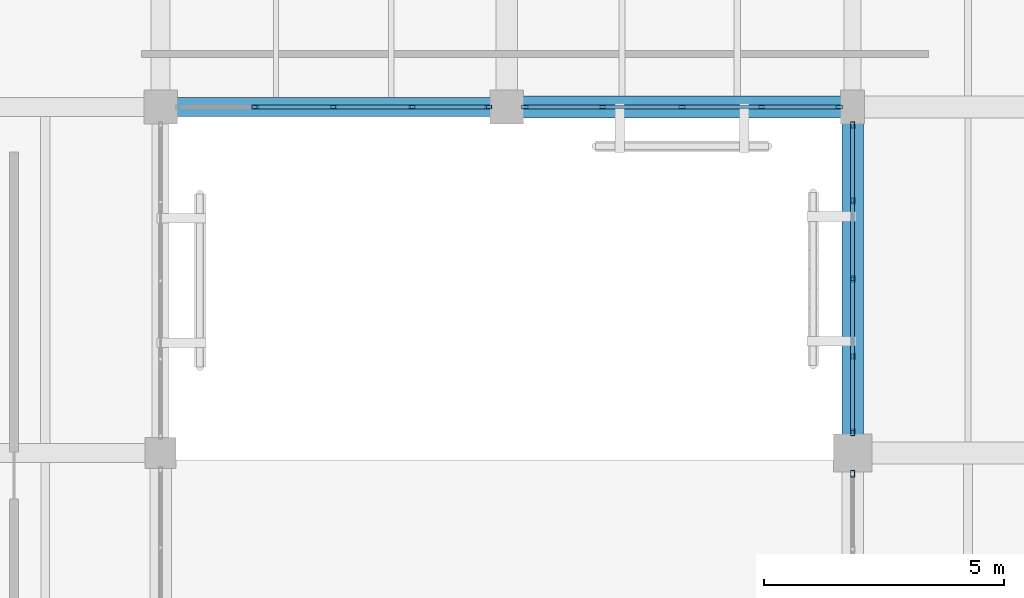
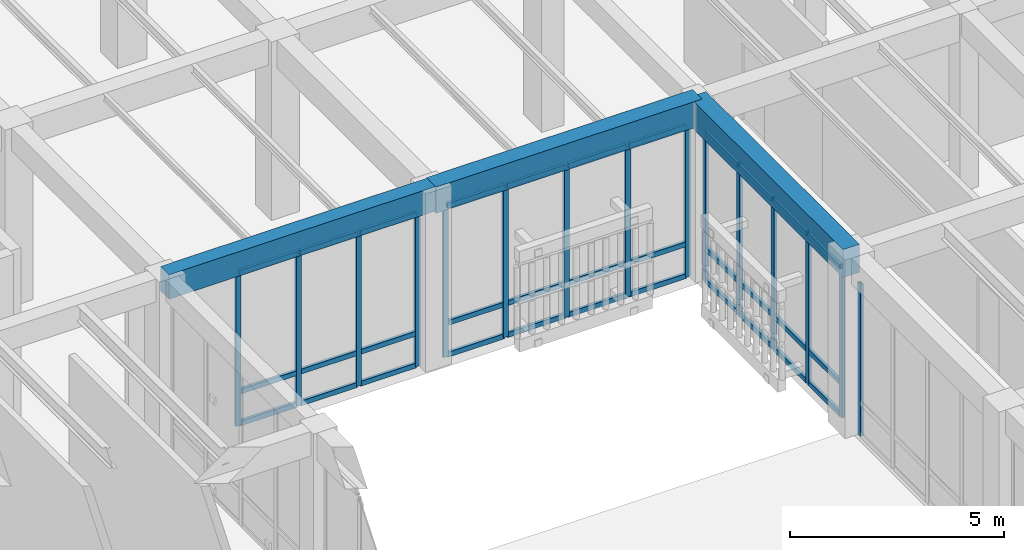
# One storey, part 58 of 169: 48 members, 3 beams, 4 elements without a shape of their own.
"""IFC4 building model written with IfcOpenShell, lengths in metres."""

from ifc_helpers import new_model, si_unit, direction, frame, origin, origin_2d, place, context, subcontext, project, spatial, rectangle, hollow_rectangle, extrude, material, layer, layer_set, material_profile, profile_set, type_object, element, aggregate, save


model = new_model("IFC4")

# Units and contexts
model_context = context("Model", 3, precision=1e-05, world=origin(), true_north=direction((0.0, 1.0)))
body_context = subcontext(model_context, "Body", "Model", "MODEL_VIEW")
ifc_project = project(units=[si_unit("LENGTHUNIT", "METRE"), si_unit("AREAUNIT", "SQUARE_METRE"), si_unit("VOLUMEUNIT", "CUBIC_METRE"), si_unit("PLANEANGLEUNIT", "RADIAN"), si_unit("MASSUNIT", "GRAM", prefix="KILO")], contexts=[model_context])

# Site, building, storey
site_placement = place(None, origin())
site = spatial("IfcSite", under=ifc_project, at=site_placement, CompositionType="ELEMENT")
building_placement = place(site_placement, origin())
building = spatial("IfcBuilding", under=site, at=building_placement, Name="Mazaris Harbour Polytechnic", CompositionType="ELEMENT")
storey_placement = place(building_placement, origin())
storey = spatial("IfcBuildingStorey", under=building, at=storey_placement, Name="L00", CompositionType="ELEMENT", Elevation=0.0)

# Curtain wall, members
ifc_material_1 = material(Name="Anodised Bronze Aluminium and Low-E Glass", Category="aluminium")
ifc_layer = layer(ifc_material_1, 0.159912109375, Name="Anodised Bronze Aluminium and Low-E Glass")
ifc_layer_set = layer_set([ifc_layer], Name="Anodised Bronze Aluminium and Low-E Glass")
curtain_wall_type = type_object("IfcCurtainWallType", Name="Cloister Court Curtain Wall", PredefinedType="NOTDEFINED", material=ifc_layer_set)
curtain_wall_1_placement = place(storey_placement, origin())
curtain_wall_1 = element("IfcCurtainWall", 1, at=curtain_wall_1_placement, inside=storey, type_object=curtain_wall_type, Name="V4 L00 Curtain Wall 101", PredefinedType="NOTDEFINED")
ifc_material_2 = material(Name="Anodised Bronze Steel S355", Category="steel")
ifc_material_profile_1 = material_profile(ifc_material_2, hollow_rectangle(XDim=0.080078125, YDim=0.139892578125, WallThickness=0.00634765625, at=origin_2d()), Name="RHS 80x140x6.3")
ifc_profile_set_1 = profile_set([ifc_material_profile_1], Name="Anodised Bronze Steel S355")
member_type_1 = type_object("IfcMemberType", Name="Curtain Mullion RHS80x140", PredefinedType="MULLION", material=ifc_profile_set_1)
member_1_placement = place(storey_placement, frame((21.218017578125, 68.39990234375, 0.0), z_axis=(0.0, 0.0, 1.0), x_axis=(0.0, -1.0, 0.0)))
member_1 = element("IfcMember", 2, at=member_1_placement, type_object=member_type_1, Name="CW-02 mullion 1", PredefinedType="MULLION", context=body_context, shape_type="SweptSolid", body=[
    extrude(hollow_rectangle(XDim=0.080078125, YDim=0.139892578125, WallThickness=0.00634765625, at=origin_2d()), origin(), (0.0, 0.0, 1.0), 4.389892578125),
])
member_2_placement = place(storey_placement, frame((19.62890625, 68.39990234375, 0.0), z_axis=(0.0, 0.0, 1.0), x_axis=(0.0, -1.0, 0.0)))
member_2 = element("IfcMember", 3, at=member_2_placement, type_object=member_type_1, Name="CW-02 mullion 2", PredefinedType="MULLION", context=body_context, shape_type="SweptSolid", body=[
    extrude(hollow_rectangle(XDim=0.080078125, YDim=0.139892578125, WallThickness=0.00634765625, at=origin_2d()), origin(), (0.0, 0.0, 1.0), 4.389892578125),
])
member_3_placement = place(storey_placement, frame((18.0, 68.39990234375, 0.0), z_axis=(0.0, 0.0, 1.0), x_axis=(0.0, -1.0, 0.0)))
member_3 = element("IfcMember", 4, at=member_3_placement, type_object=member_type_1, Name="CW-02 mullion 3", PredefinedType="MULLION", context=body_context, shape_type="SweptSolid", body=[
    extrude(hollow_rectangle(XDim=0.080078125, YDim=0.139892578125, WallThickness=0.00634765625, at=origin_2d()), origin(), (0.0, 0.0, 1.0), 4.389892578125),
])
member_4_placement = place(storey_placement, frame((16.37109375, 68.39990234375, 0.0), z_axis=(0.0, 0.0, 1.0), x_axis=(0.0, -1.0, 0.0)))
member_4 = element("IfcMember", 5, at=member_4_placement, type_object=member_type_1, Name="CW-02 mullion 4", PredefinedType="MULLION", context=body_context, shape_type="SweptSolid", body=[
    extrude(hollow_rectangle(XDim=0.080078125, YDim=0.139892578125, WallThickness=0.00634765625, at=origin_2d()), origin(), (0.0, 0.0, 1.0), 4.389892578125),
])

curtain_wall_2_placement = place(storey_placement, origin())
curtain_wall_2 = element("IfcCurtainWall", 6, at=curtain_wall_2_placement, inside=storey, type_object=curtain_wall_type, Name="V4 L00 Curtain Wall 102", PredefinedType="NOTDEFINED")
member_5_placement = place(storey_placement, frame((28.51806640625, 68.39990234375, 0.0), z_axis=(0.0, 0.0, 1.0), x_axis=(0.0, -1.0, 0.0)))
member_5 = element("IfcMember", 7, at=member_5_placement, type_object=member_type_1, Name="CW-02 mullion 1", PredefinedType="MULLION", context=body_context, shape_type="SweptSolid", body=[
    extrude(hollow_rectangle(XDim=0.080078125, YDim=0.139892578125, WallThickness=0.00634765625, at=origin_2d()), origin(), (0.0, 0.0, 1.0), 4.340087890625),
])
member_6_placement = place(storey_placement, frame((26.904052734375, 68.39990234375, 0.0), z_axis=(0.0, 0.0, 1.0), x_axis=(0.0, -1.0, 0.0)))
member_6 = element("IfcMember", 8, at=member_6_placement, type_object=member_type_1, Name="CW-02 mullion 2", PredefinedType="MULLION", context=body_context, shape_type="SweptSolid", body=[
    extrude(hollow_rectangle(XDim=0.080078125, YDim=0.139892578125, WallThickness=0.00634765625, at=origin_2d()), origin(), (0.0, 0.0, 1.0), 4.340087890625),
])
member_7_placement = place(storey_placement, frame((25.25, 68.39990234375, 0.0), z_axis=(0.0, 0.0, 1.0), x_axis=(0.0, -1.0, 0.0)))
member_7 = element("IfcMember", 9, at=member_7_placement, type_object=member_type_1, Name="CW-02 mullion 3", PredefinedType="MULLION", context=body_context, shape_type="SweptSolid", body=[
    extrude(hollow_rectangle(XDim=0.080078125, YDim=0.139892578125, WallThickness=0.00634765625, at=origin_2d()), origin(), (0.0, 0.0, 1.0), 4.340087890625),
])
member_8_placement = place(storey_placement, frame((23.595947265625, 68.39990234375, 0.0), z_axis=(0.0, 0.0, 1.0), x_axis=(0.0, -1.0, 0.0)))
member_8 = element("IfcMember", 10, at=member_8_placement, type_object=member_type_1, Name="CW-02 mullion 4", PredefinedType="MULLION", context=body_context, shape_type="SweptSolid", body=[
    extrude(hollow_rectangle(XDim=0.080078125, YDim=0.139892578125, WallThickness=0.00634765625, at=origin_2d()), origin(), (0.0, 0.0, 1.0), 4.340087890625),
])
member_9_placement = place(storey_placement, frame((21.98193359375, 68.39990234375, 0.0), z_axis=(0.0, 0.0, 1.0), x_axis=(0.0, -1.0, 0.0)))
member_9 = element("IfcMember", 11, at=member_9_placement, type_object=member_type_1, Name="CW-02 mullion 5", PredefinedType="MULLION", context=body_context, shape_type="SweptSolid", body=[
    extrude(hollow_rectangle(XDim=0.080078125, YDim=0.139892578125, WallThickness=0.00634765625, at=origin_2d()), origin(), (0.0, 0.0, 1.0), 4.340087890625),
])

# Curtain wall, member
curtain_wall_3_placement = place(storey_placement, origin())
curtain_wall_3 = element("IfcCurtainWall", 12, at=curtain_wall_3_placement, inside=storey, type_object=curtain_wall_type, Name="V4 L00 Curtain Wall 109", PredefinedType="NOTDEFINED")
member_10_placement = place(storey_placement, frame((28.800048828125, 60.76806640625, 0.0), z_axis=(0.0, 0.0, 1.0), x_axis=(1.0, 0.0, 0.0)))
member_10 = element("IfcMember", 13, at=member_10_placement, type_object=member_type_1, Name="CW-02 mullion 1", PredefinedType="MULLION", context=body_context, shape_type="SweptSolid", body=[
    extrude(hollow_rectangle(XDim=0.080078125, YDim=0.139892578125, WallThickness=0.00634765625, at=origin_2d()), origin(), (0.0, 0.0, 1.0), 4.340087890625),
])
aggregate(curtain_wall_3, [member_10])

# Curtain wall, members
curtain_wall_4_placement = place(storey_placement, origin())
curtain_wall_4 = element("IfcCurtainWall", 14, at=curtain_wall_4_placement, inside=storey, type_object=curtain_wall_type, Name="V4 L00 Curtain Wall 110", PredefinedType="NOTDEFINED")
member_11_placement = place(storey_placement, frame((28.800048828125, 68.01806640625, 0.0), z_axis=(0.0, 0.0, 1.0), x_axis=(1.0, 0.0, 0.0)))
member_11 = element("IfcMember", 15, at=member_11_placement, type_object=member_type_1, Name="CW-02 mullion 1", PredefinedType="MULLION", context=body_context, shape_type="SweptSolid", body=[
    extrude(hollow_rectangle(XDim=0.080078125, YDim=0.139892578125, WallThickness=0.00634765625, at=origin_2d()), origin(), (0.0, 0.0, 1.0), 4.2900390625),
])
member_12_placement = place(storey_placement, frame((28.800048828125, 66.44140625, 0.0), z_axis=(0.0, 0.0, 1.0), x_axis=(1.0, 0.0, 0.0)))
member_12 = element("IfcMember", 16, at=member_12_placement, type_object=member_type_1, Name="CW-02 mullion 2", PredefinedType="MULLION", context=body_context, shape_type="SweptSolid", body=[
    extrude(hollow_rectangle(XDim=0.080078125, YDim=0.139892578125, WallThickness=0.00634765625, at=origin_2d()), origin(), (0.0, 0.0, 1.0), 4.2900390625),
])
member_13_placement = place(storey_placement, frame((28.800048828125, 64.824951171875, 0.0), z_axis=(0.0, 0.0, 1.0), x_axis=(1.0, 0.0, 0.0)))
member_13 = element("IfcMember", 17, at=member_13_placement, type_object=member_type_1, Name="CW-02 mullion 3", PredefinedType="MULLION", context=body_context, shape_type="SweptSolid", body=[
    extrude(hollow_rectangle(XDim=0.080078125, YDim=0.139892578125, WallThickness=0.00634765625, at=origin_2d()), origin(), (0.0, 0.0, 1.0), 4.2900390625),
])
member_14_placement = place(storey_placement, frame((28.800048828125, 63.20849609375, 0.0), z_axis=(0.0, 0.0, 1.0), x_axis=(1.0, 0.0, 0.0)))
member_14 = element("IfcMember", 18, at=member_14_placement, type_object=member_type_1, Name="CW-02 mullion 4", PredefinedType="MULLION", context=body_context, shape_type="SweptSolid", body=[
    extrude(hollow_rectangle(XDim=0.080078125, YDim=0.139892578125, WallThickness=0.00634765625, at=origin_2d()), origin(), (0.0, 0.0, 1.0), 4.2900390625),
])
member_15_placement = place(storey_placement, frame((28.800048828125, 61.632080078125, 0.0), z_axis=(0.0, 0.0, 1.0), x_axis=(1.0, 0.0, 0.0)))
member_15 = element("IfcMember", 19, at=member_15_placement, type_object=member_type_1, Name="CW-02 mullion 5", PredefinedType="MULLION", context=body_context, shape_type="SweptSolid", body=[
    extrude(hollow_rectangle(XDim=0.080078125, YDim=0.139892578125, WallThickness=0.00634765625, at=origin_2d()), origin(), (0.0, 0.0, 1.0), 4.2900390625),
])

# Member
ifc_material_3 = material(Name="Anodised Bronze Steel S355", Category="steel")
ifc_material_profile_2 = material_profile(ifc_material_3, hollow_rectangle(XDim=0.080078125, YDim=0.139892578125, WallThickness=0.00634765625, at=origin_2d()), Name="RHS 80x140x6.3")
ifc_profile_set_2 = profile_set([ifc_material_profile_2], Name="Anodised Bronze Steel S355")
member_type_2 = type_object("IfcMemberType", Name="Curtain Transom RHS80x140", PredefinedType="USERDEFINED", material=ifc_profile_set_2)
member_16_placement = place(storey_placement, frame((21.177978515625, 68.39990234375, 0.0400390625), z_axis=(-1.0, 0.0, 0.0), x_axis=(0.0, -1.0, 0.0)))
member_16 = element("IfcMember", 20, at=member_16_placement, type_object=member_type_2, Name="CW-02 transom 1.1", ObjectType="TRANSOM", PredefinedType="USERDEFINED", context=body_context, shape_type="SweptSolid", body=[
    extrude(hollow_rectangle(XDim=0.080078125, YDim=0.139892578125, WallThickness=0.00634765625, at=origin_2d()), origin(), (0.0, 0.0, 1.0), 1.509033203125),
])

member_17_placement = place(storey_placement, frame((21.177978515625, 68.39990234375, 0.949951171875), z_axis=(-1.0, 0.0, 0.0), x_axis=(0.0, -1.0, 0.0)))
member_17 = element("IfcMember", 21, at=member_17_placement, type_object=member_type_2, Name="CW-02 transom 1.2", ObjectType="TRANSOM", PredefinedType="USERDEFINED", context=body_context, shape_type="SweptSolid", body=[
    extrude(hollow_rectangle(XDim=0.080078125, YDim=0.139892578125, WallThickness=0.00634765625, at=origin_2d()), origin(), (0.0, 0.0, 1.0), 1.509033203125),
])

member_18_placement = place(storey_placement, frame((21.177978515625, 68.39990234375, 4.35009765625), z_axis=(-1.0, 0.0, 0.0), x_axis=(0.0, -1.0, 0.0)))
member_18 = element("IfcMember", 22, at=member_18_placement, type_object=member_type_2, Name="CW-02 transom 1.3", ObjectType="TRANSOM", PredefinedType="USERDEFINED", context=body_context, shape_type="SweptSolid", body=[
    extrude(hollow_rectangle(XDim=0.080078125, YDim=0.139892578125, WallThickness=0.00634765625, at=origin_2d()), origin(), (0.0, 0.0, 1.0), 1.509033203125),
])

member_19_placement = place(storey_placement, frame((19.589111328125, 68.39990234375, 0.0400390625), z_axis=(-1.0, 0.0, 0.0), x_axis=(0.0, -1.0, 0.0)))
member_19 = element("IfcMember", 23, at=member_19_placement, type_object=member_type_2, Name="CW-02 transom 2.1", ObjectType="TRANSOM", PredefinedType="USERDEFINED", context=body_context, shape_type="SweptSolid", body=[
    extrude(hollow_rectangle(XDim=0.080078125, YDim=0.139892578125, WallThickness=0.00634765625, at=origin_2d()), origin(), (0.0, 0.0, 1.0), 1.549072265625),
])

member_20_placement = place(storey_placement, frame((19.589111328125, 68.39990234375, 0.949951171875), z_axis=(-1.0, 0.0, 0.0), x_axis=(0.0, -1.0, 0.0)))
member_20 = element("IfcMember", 24, at=member_20_placement, type_object=member_type_2, Name="CW-02 transom 2.2", ObjectType="TRANSOM", PredefinedType="USERDEFINED", context=body_context, shape_type="SweptSolid", body=[
    extrude(hollow_rectangle(XDim=0.080078125, YDim=0.139892578125, WallThickness=0.00634765625, at=origin_2d()), origin(), (0.0, 0.0, 1.0), 1.549072265625),
])

member_21_placement = place(storey_placement, frame((19.589111328125, 68.39990234375, 4.35009765625), z_axis=(-1.0, 0.0, 0.0), x_axis=(0.0, -1.0, 0.0)))
member_21 = element("IfcMember", 25, at=member_21_placement, type_object=member_type_2, Name="CW-02 transom 2.3", ObjectType="TRANSOM", PredefinedType="USERDEFINED", context=body_context, shape_type="SweptSolid", body=[
    extrude(hollow_rectangle(XDim=0.080078125, YDim=0.139892578125, WallThickness=0.00634765625, at=origin_2d()), origin(), (0.0, 0.0, 1.0), 1.549072265625),
])

member_22_placement = place(storey_placement, frame((17.9599609375, 68.39990234375, 0.0400390625), z_axis=(-1.0, 0.0, 0.0), x_axis=(0.0, -1.0, 0.0)))
member_22 = element("IfcMember", 26, at=member_22_placement, type_object=member_type_2, Name="CW-02 transom 3.1", ObjectType="TRANSOM", PredefinedType="USERDEFINED", context=body_context, shape_type="SweptSolid", body=[
    extrude(hollow_rectangle(XDim=0.080078125, YDim=0.139892578125, WallThickness=0.00634765625, at=origin_2d()), origin(), (0.0, 0.0, 1.0), 1.549072265625),
])

member_23_placement = place(storey_placement, frame((17.9599609375, 68.39990234375, 0.949951171875), z_axis=(-1.0, 0.0, 0.0), x_axis=(0.0, -1.0, 0.0)))
member_23 = element("IfcMember", 27, at=member_23_placement, type_object=member_type_2, Name="CW-02 transom 3.2", ObjectType="TRANSOM", PredefinedType="USERDEFINED", context=body_context, shape_type="SweptSolid", body=[
    extrude(hollow_rectangle(XDim=0.080078125, YDim=0.139892578125, WallThickness=0.00634765625, at=origin_2d()), origin(), (0.0, 0.0, 1.0), 1.549072265625),
])

member_24_placement = place(storey_placement, frame((17.9599609375, 68.39990234375, 4.35009765625), z_axis=(-1.0, 0.0, 0.0), x_axis=(0.0, -1.0, 0.0)))
member_24 = element("IfcMember", 28, at=member_24_placement, type_object=member_type_2, Name="CW-02 transom 3.3", ObjectType="TRANSOM", PredefinedType="USERDEFINED", context=body_context, shape_type="SweptSolid", body=[
    extrude(hollow_rectangle(XDim=0.080078125, YDim=0.139892578125, WallThickness=0.00634765625, at=origin_2d()), origin(), (0.0, 0.0, 1.0), 1.549072265625),
])

aggregate(curtain_wall_1, [member_1, member_2, member_3, member_4, member_16, member_17, member_18, member_19, member_20, member_21, member_22, member_23, member_24])

member_25_placement = place(storey_placement, frame((28.47802734375, 68.39990234375, 0.0400390625), z_axis=(-1.0, 0.0, 0.0), x_axis=(0.0, -1.0, 0.0)))
member_25 = element("IfcMember", 29, at=member_25_placement, type_object=member_type_2, Name="CW-02 transom 1.1", ObjectType="TRANSOM", PredefinedType="USERDEFINED", context=body_context, shape_type="SweptSolid", body=[
    extrude(hollow_rectangle(XDim=0.080078125, YDim=0.139892578125, WallThickness=0.00634765625, at=origin_2d()), origin(), (0.0, 0.0, 1.0), 1.533935546875),
])

member_26_placement = place(storey_placement, frame((28.47802734375, 68.39990234375, 0.949951171875), z_axis=(-1.0, 0.0, 0.0), x_axis=(0.0, -1.0, 0.0)))
member_26 = element("IfcMember", 30, at=member_26_placement, type_object=member_type_2, Name="CW-02 transom 1.2", ObjectType="TRANSOM", PredefinedType="USERDEFINED", context=body_context, shape_type="SweptSolid", body=[
    extrude(hollow_rectangle(XDim=0.080078125, YDim=0.139892578125, WallThickness=0.00634765625, at=origin_2d()), origin(), (0.0, 0.0, 1.0), 1.533935546875),
])

member_27_placement = place(storey_placement, frame((28.47802734375, 68.39990234375, 4.300048828125), z_axis=(-1.0, 0.0, 0.0), x_axis=(0.0, -1.0, 0.0)))
member_27 = element("IfcMember", 31, at=member_27_placement, type_object=member_type_2, Name="CW-02 transom 1.3", ObjectType="TRANSOM", PredefinedType="USERDEFINED", context=body_context, shape_type="SweptSolid", body=[
    extrude(hollow_rectangle(XDim=0.080078125, YDim=0.139892578125, WallThickness=0.00634765625, at=origin_2d()), origin(), (0.0, 0.0, 1.0), 1.533935546875),
])

member_28_placement = place(storey_placement, frame((26.864013671875, 68.39990234375, 0.0400390625), z_axis=(-1.0, 0.0, 0.0), x_axis=(0.0, -1.0, 0.0)))
member_28 = element("IfcMember", 32, at=member_28_placement, type_object=member_type_2, Name="CW-02 transom 2.1", ObjectType="TRANSOM", PredefinedType="USERDEFINED", context=body_context, shape_type="SweptSolid", body=[
    extrude(hollow_rectangle(XDim=0.080078125, YDim=0.139892578125, WallThickness=0.00634765625, at=origin_2d()), origin(), (0.0, 0.0, 1.0), 1.573974609375),
])

member_29_placement = place(storey_placement, frame((26.864013671875, 68.39990234375, 0.949951171875), z_axis=(-1.0, 0.0, 0.0), x_axis=(0.0, -1.0, 0.0)))
member_29 = element("IfcMember", 33, at=member_29_placement, type_object=member_type_2, Name="CW-02 transom 2.2", ObjectType="TRANSOM", PredefinedType="USERDEFINED", context=body_context, shape_type="SweptSolid", body=[
    extrude(hollow_rectangle(XDim=0.080078125, YDim=0.139892578125, WallThickness=0.00634765625, at=origin_2d()), origin(), (0.0, 0.0, 1.0), 1.573974609375),
])

member_30_placement = place(storey_placement, frame((26.864013671875, 68.39990234375, 4.300048828125), z_axis=(-1.0, 0.0, 0.0), x_axis=(0.0, -1.0, 0.0)))
member_30 = element("IfcMember", 34, at=member_30_placement, type_object=member_type_2, Name="CW-02 transom 2.3", ObjectType="TRANSOM", PredefinedType="USERDEFINED", context=body_context, shape_type="SweptSolid", body=[
    extrude(hollow_rectangle(XDim=0.080078125, YDim=0.139892578125, WallThickness=0.00634765625, at=origin_2d()), origin(), (0.0, 0.0, 1.0), 1.573974609375),
])

member_31_placement = place(storey_placement, frame((25.2099609375, 68.39990234375, 0.0400390625), z_axis=(-1.0, 0.0, 0.0), x_axis=(0.0, -1.0, 0.0)))
member_31 = element("IfcMember", 35, at=member_31_placement, type_object=member_type_2, Name="CW-02 transom 3.1", ObjectType="TRANSOM", PredefinedType="USERDEFINED", context=body_context, shape_type="SweptSolid", body=[
    extrude(hollow_rectangle(XDim=0.080078125, YDim=0.139892578125, WallThickness=0.00634765625, at=origin_2d()), origin(), (0.0, 0.0, 1.0), 1.573974609375),
])

member_32_placement = place(storey_placement, frame((25.2099609375, 68.39990234375, 0.949951171875), z_axis=(-1.0, 0.0, 0.0), x_axis=(0.0, -1.0, 0.0)))
member_32 = element("IfcMember", 36, at=member_32_placement, type_object=member_type_2, Name="CW-02 transom 3.2", ObjectType="TRANSOM", PredefinedType="USERDEFINED", context=body_context, shape_type="SweptSolid", body=[
    extrude(hollow_rectangle(XDim=0.080078125, YDim=0.139892578125, WallThickness=0.00634765625, at=origin_2d()), origin(), (0.0, 0.0, 1.0), 1.573974609375),
])

member_33_placement = place(storey_placement, frame((25.2099609375, 68.39990234375, 4.300048828125), z_axis=(-1.0, 0.0, 0.0), x_axis=(0.0, -1.0, 0.0)))
member_33 = element("IfcMember", 37, at=member_33_placement, type_object=member_type_2, Name="CW-02 transom 3.3", ObjectType="TRANSOM", PredefinedType="USERDEFINED", context=body_context, shape_type="SweptSolid", body=[
    extrude(hollow_rectangle(XDim=0.080078125, YDim=0.139892578125, WallThickness=0.00634765625, at=origin_2d()), origin(), (0.0, 0.0, 1.0), 1.573974609375),
])

member_34_placement = place(storey_placement, frame((23.555908203125, 68.39990234375, 0.0400390625), z_axis=(-1.0, 0.0, 0.0), x_axis=(0.0, -1.0, 0.0)))
member_34 = element("IfcMember", 38, at=member_34_placement, type_object=member_type_2, Name="CW-02 transom 4.1", ObjectType="TRANSOM", PredefinedType="USERDEFINED", context=body_context, shape_type="SweptSolid", body=[
    extrude(hollow_rectangle(XDim=0.080078125, YDim=0.139892578125, WallThickness=0.00634765625, at=origin_2d()), origin(), (0.0, 0.0, 1.0), 1.533935546875),
])

member_35_placement = place(storey_placement, frame((23.555908203125, 68.39990234375, 0.949951171875), z_axis=(-1.0, 0.0, 0.0), x_axis=(0.0, -1.0, 0.0)))
member_35 = element("IfcMember", 39, at=member_35_placement, type_object=member_type_2, Name="CW-02 transom 4.2", ObjectType="TRANSOM", PredefinedType="USERDEFINED", context=body_context, shape_type="SweptSolid", body=[
    extrude(hollow_rectangle(XDim=0.080078125, YDim=0.139892578125, WallThickness=0.00634765625, at=origin_2d()), origin(), (0.0, 0.0, 1.0), 1.533935546875),
])

member_36_placement = place(storey_placement, frame((23.555908203125, 68.39990234375, 4.300048828125), z_axis=(-1.0, 0.0, 0.0), x_axis=(0.0, -1.0, 0.0)))
member_36 = element("IfcMember", 40, at=member_36_placement, type_object=member_type_2, Name="CW-02 transom 4.3", ObjectType="TRANSOM", PredefinedType="USERDEFINED", context=body_context, shape_type="SweptSolid", body=[
    extrude(hollow_rectangle(XDim=0.080078125, YDim=0.139892578125, WallThickness=0.00634765625, at=origin_2d()), origin(), (0.0, 0.0, 1.0), 1.533935546875),
])

aggregate(curtain_wall_2, [member_5, member_6, member_7, member_8, member_9, member_25, member_26, member_27, member_28, member_29, member_30, member_31, member_32, member_33, member_34, member_35, member_36])

member_37_placement = place(storey_placement, frame((28.800048828125, 67.97802734375, 0.0400390625), z_axis=(0.0, -1.0, 0.0), x_axis=(1.0, 0.0, 0.0)))
member_37 = element("IfcMember", 41, at=member_37_placement, type_object=member_type_2, Name="CW-02 transom 1.1", ObjectType="TRANSOM", PredefinedType="USERDEFINED", context=body_context, shape_type="SweptSolid", body=[
    extrude(hollow_rectangle(XDim=0.080078125, YDim=0.139892578125, WallThickness=0.00634765625, at=origin_2d()), origin(), (0.0, 0.0, 1.0), 1.49658203125),
])

member_38_placement = place(storey_placement, frame((28.800048828125, 67.97802734375, 0.949951171875), z_axis=(0.0, -1.0, 0.0), x_axis=(1.0, 0.0, 0.0)))
member_38 = element("IfcMember", 42, at=member_38_placement, type_object=member_type_2, Name="CW-02 transom 1.2", ObjectType="TRANSOM", PredefinedType="USERDEFINED", context=body_context, shape_type="SweptSolid", body=[
    extrude(hollow_rectangle(XDim=0.080078125, YDim=0.139892578125, WallThickness=0.00634765625, at=origin_2d()), origin(), (0.0, 0.0, 1.0), 1.49658203125),
])

member_39_placement = place(storey_placement, frame((28.800048828125, 67.97802734375, 4.25), z_axis=(0.0, -1.0, 0.0), x_axis=(1.0, 0.0, 0.0)))
member_39 = element("IfcMember", 43, at=member_39_placement, type_object=member_type_2, Name="CW-02 transom 1.3", ObjectType="TRANSOM", PredefinedType="USERDEFINED", context=body_context, shape_type="SweptSolid", body=[
    extrude(hollow_rectangle(XDim=0.080078125, YDim=0.139892578125, WallThickness=0.00634765625, at=origin_2d()), origin(), (0.0, 0.0, 1.0), 1.49658203125),
])

member_40_placement = place(storey_placement, frame((28.800048828125, 66.401611328125, 0.0400390625), z_axis=(0.0, -1.0, 0.0), x_axis=(1.0, 0.0, 0.0)))
member_40 = element("IfcMember", 44, at=member_40_placement, type_object=member_type_2, Name="CW-02 transom 2.1", ObjectType="TRANSOM", PredefinedType="USERDEFINED", context=body_context, shape_type="SweptSolid", body=[
    extrude(hollow_rectangle(XDim=0.080078125, YDim=0.139892578125, WallThickness=0.00634765625, at=origin_2d()), origin(), (0.0, 0.0, 1.0), 1.53662109375),
])

member_41_placement = place(storey_placement, frame((28.800048828125, 66.401611328125, 0.949951171875), z_axis=(0.0, -1.0, 0.0), x_axis=(1.0, 0.0, 0.0)))
member_41 = element("IfcMember", 45, at=member_41_placement, type_object=member_type_2, Name="CW-02 transom 2.2", ObjectType="TRANSOM", PredefinedType="USERDEFINED", context=body_context, shape_type="SweptSolid", body=[
    extrude(hollow_rectangle(XDim=0.080078125, YDim=0.139892578125, WallThickness=0.00634765625, at=origin_2d()), origin(), (0.0, 0.0, 1.0), 1.53662109375),
])

member_42_placement = place(storey_placement, frame((28.800048828125, 66.401611328125, 4.25), z_axis=(0.0, -1.0, 0.0), x_axis=(1.0, 0.0, 0.0)))
member_42 = element("IfcMember", 46, at=member_42_placement, type_object=member_type_2, Name="CW-02 transom 2.3", ObjectType="TRANSOM", PredefinedType="USERDEFINED", context=body_context, shape_type="SweptSolid", body=[
    extrude(hollow_rectangle(XDim=0.080078125, YDim=0.139892578125, WallThickness=0.00634765625, at=origin_2d()), origin(), (0.0, 0.0, 1.0), 1.53662109375),
])

member_43_placement = place(storey_placement, frame((28.800048828125, 64.784912109375, 0.0400390625), z_axis=(0.0, -1.0, 0.0), x_axis=(1.0, 0.0, 0.0)))
member_43 = element("IfcMember", 47, at=member_43_placement, type_object=member_type_2, Name="CW-02 transom 3.1", ObjectType="TRANSOM", PredefinedType="USERDEFINED", context=body_context, shape_type="SweptSolid", body=[
    extrude(hollow_rectangle(XDim=0.080078125, YDim=0.139892578125, WallThickness=0.00634765625, at=origin_2d()), origin(), (0.0, 0.0, 1.0), 1.536376953125),
])

member_44_placement = place(storey_placement, frame((28.800048828125, 64.784912109375, 0.949951171875), z_axis=(0.0, -1.0, 0.0), x_axis=(1.0, 0.0, 0.0)))
member_44 = element("IfcMember", 48, at=member_44_placement, type_object=member_type_2, Name="CW-02 transom 3.2", ObjectType="TRANSOM", PredefinedType="USERDEFINED", context=body_context, shape_type="SweptSolid", body=[
    extrude(hollow_rectangle(XDim=0.080078125, YDim=0.139892578125, WallThickness=0.00634765625, at=origin_2d()), origin(), (0.0, 0.0, 1.0), 1.536376953125),
])

member_45_placement = place(storey_placement, frame((28.800048828125, 64.784912109375, 4.25), z_axis=(0.0, -1.0, 0.0), x_axis=(1.0, 0.0, 0.0)))
member_45 = element("IfcMember", 49, at=member_45_placement, type_object=member_type_2, Name="CW-02 transom 3.3", ObjectType="TRANSOM", PredefinedType="USERDEFINED", context=body_context, shape_type="SweptSolid", body=[
    extrude(hollow_rectangle(XDim=0.080078125, YDim=0.139892578125, WallThickness=0.00634765625, at=origin_2d()), origin(), (0.0, 0.0, 1.0), 1.536376953125),
])

member_46_placement = place(storey_placement, frame((28.800048828125, 63.16845703125, 0.0400390625), z_axis=(0.0, -1.0, 0.0), x_axis=(1.0, 0.0, 0.0)))
member_46 = element("IfcMember", 50, at=member_46_placement, type_object=member_type_2, Name="CW-02 transom 4.1", ObjectType="TRANSOM", PredefinedType="USERDEFINED", context=body_context, shape_type="SweptSolid", body=[
    extrude(hollow_rectangle(XDim=0.080078125, YDim=0.139892578125, WallThickness=0.00634765625, at=origin_2d()), origin(), (0.0, 0.0, 1.0), 1.496337890625),
])

member_47_placement = place(storey_placement, frame((28.800048828125, 63.16845703125, 0.949951171875), z_axis=(0.0, -1.0, 0.0), x_axis=(1.0, 0.0, 0.0)))
member_47 = element("IfcMember", 51, at=member_47_placement, type_object=member_type_2, Name="CW-02 transom 4.2", ObjectType="TRANSOM", PredefinedType="USERDEFINED", context=body_context, shape_type="SweptSolid", body=[
    extrude(hollow_rectangle(XDim=0.080078125, YDim=0.139892578125, WallThickness=0.00634765625, at=origin_2d()), origin(), (0.0, 0.0, 1.0), 1.496337890625),
])

member_48_placement = place(storey_placement, frame((28.800048828125, 63.16845703125, 4.25), z_axis=(0.0, -1.0, 0.0), x_axis=(1.0, 0.0, 0.0)))
member_48 = element("IfcMember", 52, at=member_48_placement, type_object=member_type_2, Name="CW-02 transom 4.3", ObjectType="TRANSOM", PredefinedType="USERDEFINED", context=body_context, shape_type="SweptSolid", body=[
    extrude(hollow_rectangle(XDim=0.080078125, YDim=0.139892578125, WallThickness=0.00634765625, at=origin_2d()), origin(), (0.0, 0.0, 1.0), 1.496337890625),
])

aggregate(curtain_wall_4, [member_11, member_12, member_13, member_14, member_15, member_37, member_38, member_39, member_40, member_41, member_42, member_43, member_44, member_45, member_46, member_47, member_48])

# Beams
ifc_material_4 = material(Name="Concrete C35/45", Category="concrete")
ifc_material_profile_3 = material_profile(ifc_material_4, rectangle(XDim=0.39990234375, YDim=0.699951171875, at=origin_2d()), Name="RECT400x700")
ifc_profile_set_3 = profile_set([ifc_material_profile_3], Name="Concrete C35/45")
beam_type_1 = type_object("IfcBeamType", Name="RC Girder 400x700", PredefinedType="BEAM", material=ifc_profile_set_3)
beam_1_placement = place(storey_placement, frame((14.39990234375, 68.39990234375, 4.75), z_axis=(1.0, 0.0, 0.0), x_axis=(0.0, 1.0, 0.0)))
element("IfcBeam", 53, at=beam_1_placement, inside=storey, type_object=beam_type_1, Name="V4 L00 Girder 1397", PredefinedType="BEAM", context=body_context, shape_type="SweptSolid", body=[
    extrude(rectangle(XDim=0.39990234375, YDim=0.699951171875, at=origin_2d()), origin(), (0.0, 0.0, 1.0), 7.2001953125),
])
ifc_material_5 = material(Name="Concrete C40/50", Category="concrete")
ifc_material_profile_4 = material_profile(ifc_material_5, rectangle(XDim=0.449951171875, YDim=0.75, at=origin_2d()), Name="RECT450x750")
ifc_profile_set_4 = profile_set([ifc_material_profile_4], Name="Concrete C40/50")
beam_type_2 = type_object("IfcBeamType", Name="RC Girder 450x750", PredefinedType="BEAM", material=ifc_profile_set_4)
beam_2_placement = place(storey_placement, frame((21.60009765625, 68.39990234375, 4.72509765625), z_axis=(1.0, 0.0, 0.0), x_axis=(0.0, 1.0, 0.0)))
element("IfcBeam", 54, at=beam_2_placement, inside=storey, type_object=beam_type_2, Name="V4 L00 Girder 1398", PredefinedType="BEAM", context=body_context, shape_type="SweptSolid", body=[
    extrude(rectangle(XDim=0.449951171875, YDim=0.75, at=origin_2d()), origin(), (0.0, 0.0, 1.0), 7.199951171875),
])
ifc_material_6 = material(Name="Concrete C40/50", Category="concrete")
ifc_material_profile_5 = material_profile(ifc_material_6, rectangle(XDim=0.449951171875, YDim=0.800048828125, at=origin_2d()), Name="RECT450x800")
ifc_profile_set_5 = profile_set([ifc_material_profile_5], Name="Concrete C40/50")
beam_type_3 = type_object("IfcBeamType", Name="RC Girder 450x800", PredefinedType="BEAM", material=ifc_profile_set_5)
beam_3_placement = place(storey_placement, frame((28.800048828125, 61.199951171875, 4.699951171875), z_axis=(0.0, 1.0, 0.0), x_axis=(-1.0, 0.0, 0.0)))
element("IfcBeam", 55, at=beam_3_placement, inside=storey, type_object=beam_type_3, Name="V4 L00 Tie Girder 1474", PredefinedType="BEAM", context=body_context, shape_type="SweptSolid", body=[
    extrude(rectangle(XDim=0.449951171875, YDim=0.800048828125, at=origin_2d()), origin(), (0.0, 0.0, 1.0), 7.199951171875),
])

save(model, "model.ifc")
